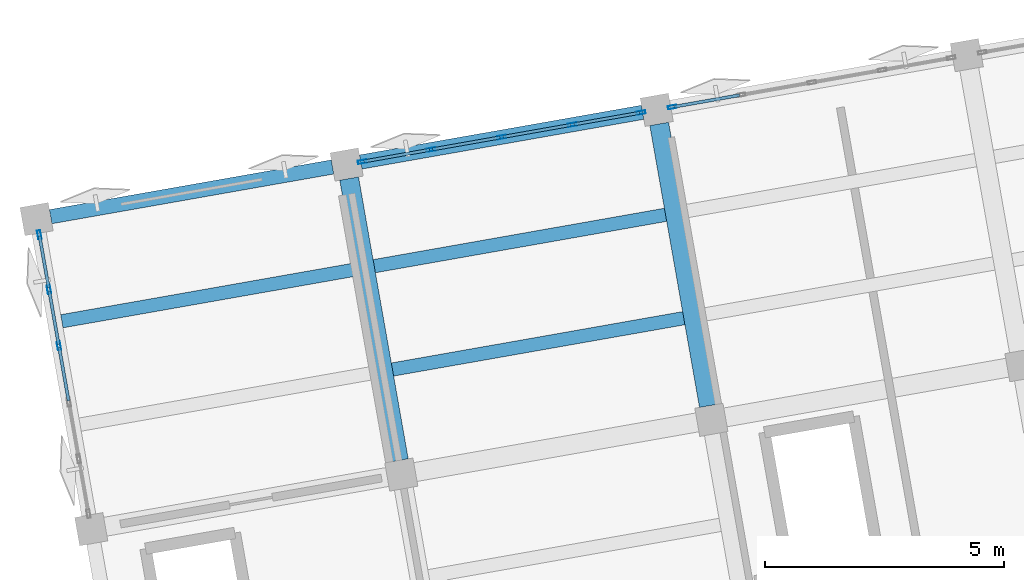
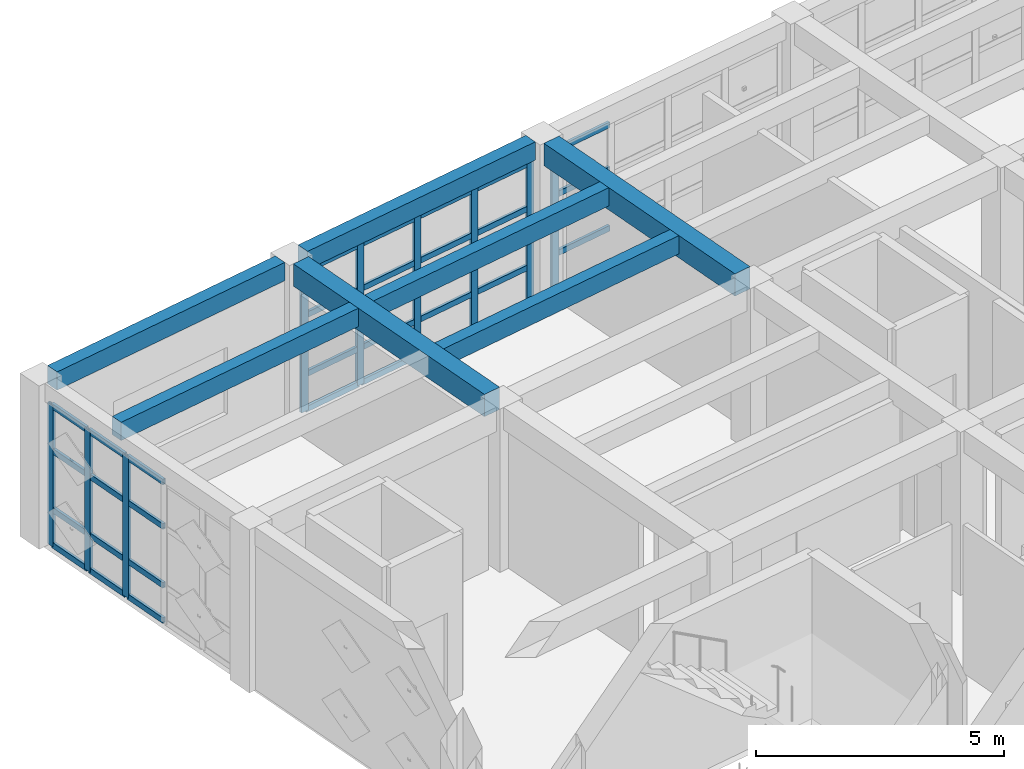
# One storey, part 6 of 18: 41 members, 7 beams, 3 elements without a shape of their own.
"""IFC4 building model written with IfcOpenShell, lengths in metres."""

from ifc_helpers import new_model, si_unit, direction, frame, origin, origin_2d, place, context, subcontext, project, spatial, rectangle, hollow_rectangle, extrude, material, layer, layer_set, material_profile, profile_set, type_object, element, aggregate, save


model = new_model("IFC4")

# Units and contexts
model_context = context("Model", 3, precision=1e-05, world=origin(), true_north=direction((0.0, 1.0)))
body_context = subcontext(model_context, "Body", "Model", "MODEL_VIEW")
ifc_project = project(units=[si_unit("LENGTHUNIT", "METRE"), si_unit("AREAUNIT", "SQUARE_METRE"), si_unit("VOLUMEUNIT", "CUBIC_METRE"), si_unit("PLANEANGLEUNIT", "RADIAN"), si_unit("MASSUNIT", "GRAM", prefix="KILO")], contexts=[model_context])

# Site, building, storey
site_placement = place(None, origin())
site = spatial("IfcSite", under=ifc_project, at=site_placement, CompositionType="ELEMENT")
building_placement = place(site_placement, origin())
building = spatial("IfcBuilding", under=site, at=building_placement, Name="Kharisveld Research Institute", CompositionType="ELEMENT")
storey_placement = place(building_placement, frame((0.0, 0.0, 36.60009765625)))
storey = spatial("IfcBuildingStorey", under=building, at=storey_placement, Name="L08", CompositionType="ELEMENT", Elevation=36.60009765625)

# Beams
ifc_material_1 = material(Name="Concrete C40/50", Category="concrete")
ifc_material_profile_1 = material_profile(ifc_material_1, rectangle(XDim=0.39990234375, YDim=0.550048828125, at=origin_2d()))
ifc_profile_set_1 = profile_set([ifc_material_profile_1], Name="Concrete C40/50")
beam_type_1 = type_object("IfcBeamType", Name="BM_RC_400x550", PredefinedType="BEAM", material=ifc_profile_set_1)
beam_1_placement = place(storey_placement, frame((9.35546875, 49.450927734375, 3.744873046875), z_axis=(-0.173662308598, 0.984805261243, 0.0), x_axis=(-0.984805261243, -0.173662308598, 0.0)))
element("IfcBeam", 1, at=beam_1_placement, inside=storey, type_object=beam_type_1, Name="BM:V1:L08:V1_2", PredefinedType="BEAM", context=body_context, shape_type="SweptSolid", body=[
    extrude(rectangle(XDim=0.39990234375, YDim=0.550048828125, at=origin_2d()), origin(), (0.0, 0.0, 1.0), 6.0),
])
beam_2_placement = place(storey_placement, frame((15.855224609375, 50.59716796875, 3.744873046875), z_axis=(-0.173669267716, 0.984804034035, 0.0), x_axis=(-0.984804034035, -0.173669267716, 0.0)))
element("IfcBeam", 2, at=beam_2_placement, inside=storey, type_object=beam_type_1, Name="BM:V1:L08:V2_2", PredefinedType="BEAM", context=body_context, shape_type="SweptSolid", body=[
    extrude(rectangle(XDim=0.39990234375, YDim=0.550048828125, at=origin_2d()), origin(), (0.0, 0.0, 1.0), 5.999755859375),
])

# Curtain wall, members
ifc_material_2 = material(Name="Thermally Broken Aluminium Curtain Wall", Category="aluminium")
ifc_layer_1 = layer(ifc_material_2, 0.159912109375)
ifc_layer_set_1 = layer_set([ifc_layer_1], Name="CW_SYS_01")
curtain_wall_type_1 = type_object("IfcCurtainWallType", Name="CW_SYS_01", PredefinedType="NOTDEFINED", material=ifc_layer_set_1)
curtain_wall_1_placement = place(storey_placement, origin())
curtain_wall_1 = element("IfcCurtainWall", 3, at=curtain_wall_1_placement, inside=storey, type_object=curtain_wall_type_1, Name="CW:V1:L08:W2", PredefinedType="NOTDEFINED")
ifc_material_3 = material(Name="Anodised Aluminium AW-6063-T6", Category="aluminium")
ifc_material_profile_2 = material_profile(ifc_material_3, hollow_rectangle(XDim=0.070068359375, YDim=0.179931640625, WallThickness=0.00439453125, at=origin_2d()))
ifc_profile_set_2 = profile_set([ifc_material_profile_2], Name="Anodised Aluminium AW-6063-T6")
member_type_1 = type_object("IfcMemberType", Name="CW_MUL_180", PredefinedType="MULLION", material=ifc_profile_set_2)
member_1_placement = place(storey_placement, frame((2.23046875, 51.851318359375, 0.0), z_axis=(0.0, 0.0, 1.0), x_axis=(-0.98480774719, -0.173648210685, 0.0)))
member_1 = element("IfcMember", 4, at=member_1_placement, type_object=member_type_1, Name="CW-01 mullion 4", PredefinedType="MULLION", context=body_context, shape_type="SweptSolid", body=[
    extrude(hollow_rectangle(XDim=0.070068359375, YDim=0.179931640625, WallThickness=0.00439453125, at=origin_2d()), origin(), (0.0, 0.0, 1.0), 3.47998046875),
])
member_2_placement = place(storey_placement, frame((2.021728515625, 53.034912109375, 0.0), z_axis=(0.0, 0.0, 1.0), x_axis=(-0.98480774719, -0.173648210685, 0.0)))
member_2 = element("IfcMember", 5, at=member_2_placement, type_object=member_type_1, Name="CW-01 mullion 5", PredefinedType="MULLION", context=body_context, shape_type="SweptSolid", body=[
    extrude(hollow_rectangle(XDim=0.070068359375, YDim=0.179931640625, WallThickness=0.00439453125, at=origin_2d()), origin(), (0.0, 0.0, 1.0), 3.47998046875),
])
member_3_placement = place(storey_placement, frame((1.819091796875, 54.184326171875, 0.0), z_axis=(0.0, 0.0, 1.0), x_axis=(-0.98480774719, -0.173648210685, 0.0)))
member_3 = element("IfcMember", 6, at=member_3_placement, type_object=member_type_1, Name="CW-01 mullion 6", PredefinedType="MULLION", context=body_context, shape_type="SweptSolid", body=[
    extrude(hollow_rectangle(XDim=0.070068359375, YDim=0.179931640625, WallThickness=0.00439453125, at=origin_2d()), origin(), (0.0, 0.0, 1.0), 3.47998046875),
])

ifc_material_4 = material(Name="Thermally Broken Aluminium Curtain Wall", Category="aluminium")
ifc_layer_2 = layer(ifc_material_4, 0.159912109375)
ifc_layer_set_2 = layer_set([ifc_layer_2], Name="CW_SYS_02")
curtain_wall_type_2 = type_object("IfcCurtainWallType", Name="CW_SYS_02", PredefinedType="NOTDEFINED", material=ifc_layer_set_2)
curtain_wall_2_placement = place(storey_placement, origin())
curtain_wall_2 = element("IfcCurtainWall", 7, at=curtain_wall_2_placement, inside=storey, type_object=curtain_wall_type_2, Name="CW:V1:L08:N1", PredefinedType="NOTDEFINED")
member_4_placement = place(storey_placement, frame((8.58642578125, 55.712646484375, 0.0), z_axis=(0.0, 0.0, 1.0), x_axis=(-0.173648239132, 0.984807742174, 0.0)))
member_4 = element("IfcMember", 8, at=member_4_placement, type_object=member_type_1, Name="CW-02 mullion 1", PredefinedType="MULLION", context=body_context, shape_type="SweptSolid", body=[
    extrude(hollow_rectangle(XDim=0.070068359375, YDim=0.179931640625, WallThickness=0.00439453125, at=origin_2d()), origin(), (0.0, 0.0, 1.0), 3.47998046875),
])
member_5_placement = place(storey_placement, frame((10.03173828125, 55.96728515625, 0.0), z_axis=(0.0, 0.0, 1.0), x_axis=(-0.173648239132, 0.984807742174, 0.0)))
member_5 = element("IfcMember", 9, at=member_5_placement, type_object=member_type_1, Name="CW-02 mullion 2", PredefinedType="MULLION", context=body_context, shape_type="SweptSolid", body=[
    extrude(hollow_rectangle(XDim=0.070068359375, YDim=0.179931640625, WallThickness=0.00439453125, at=origin_2d()), origin(), (0.0, 0.0, 1.0), 3.47998046875),
])
member_6_placement = place(storey_placement, frame((11.511474609375, 56.228271484375, 0.0), z_axis=(0.0, 0.0, 1.0), x_axis=(-0.173648239132, 0.984807742174, 0.0)))
member_6 = element("IfcMember", 10, at=member_6_placement, type_object=member_type_1, Name="CW-02 mullion 3", PredefinedType="MULLION", context=body_context, shape_type="SweptSolid", body=[
    extrude(hollow_rectangle(XDim=0.070068359375, YDim=0.179931640625, WallThickness=0.00439453125, at=origin_2d()), origin(), (0.0, 0.0, 1.0), 3.47998046875),
])
member_7_placement = place(storey_placement, frame((12.990966796875, 56.4892578125, 0.0), z_axis=(0.0, 0.0, 1.0), x_axis=(-0.173648239132, 0.984807742174, 0.0)))
member_7 = element("IfcMember", 11, at=member_7_placement, type_object=member_type_1, Name="CW-02 mullion 4", PredefinedType="MULLION", context=body_context, shape_type="SweptSolid", body=[
    extrude(hollow_rectangle(XDim=0.070068359375, YDim=0.179931640625, WallThickness=0.00439453125, at=origin_2d()), origin(), (0.0, 0.0, 1.0), 3.47998046875),
])
member_8_placement = place(storey_placement, frame((14.436279296875, 56.744140625, 0.0), z_axis=(0.0, 0.0, 1.0), x_axis=(-0.173648239132, 0.984807742174, 0.0)))
member_8 = element("IfcMember", 12, at=member_8_placement, type_object=member_type_1, Name="CW-02 mullion 5", PredefinedType="MULLION", context=body_context, shape_type="SweptSolid", body=[
    extrude(hollow_rectangle(XDim=0.070068359375, YDim=0.179931640625, WallThickness=0.00439453125, at=origin_2d()), origin(), (0.0, 0.0, 1.0), 3.47998046875),
])

# Curtain wall, member
ifc_material_5 = material(Name="Thermally Broken Aluminium Curtain Wall", Category="aluminium")
ifc_layer_3 = layer(ifc_material_5, 0.159912109375)
ifc_layer_set_3 = layer_set([ifc_layer_3], Name="CW_SYS_03")
curtain_wall_type_3 = type_object("IfcCurtainWallType", Name="CW_SYS_03", PredefinedType="NOTDEFINED", material=ifc_layer_set_3)
curtain_wall_3_placement = place(storey_placement, origin())
curtain_wall_3 = element("IfcCurtainWall", 13, at=curtain_wall_3_placement, inside=storey, type_object=curtain_wall_type_3, Name="CW:V1:L08:N2", PredefinedType="NOTDEFINED")
member_9_placement = place(storey_placement, frame((15.086181640625, 56.858642578125, 0.0), z_axis=(0.0, 0.0, 1.0), x_axis=(-0.173648210685, 0.98480774719, 0.0)))
member_9 = element("IfcMember", 14, at=member_9_placement, type_object=member_type_1, Name="CW-03 mullion 1", PredefinedType="MULLION", context=body_context, shape_type="SweptSolid", body=[
    extrude(hollow_rectangle(XDim=0.070068359375, YDim=0.179931640625, WallThickness=0.00439453125, at=origin_2d()), origin(), (0.0, 0.0, 1.0), 3.47998046875),
])

# Member
ifc_material_6 = material(Name="Anodised Aluminium AW-6063-T6", Category="aluminium")
ifc_material_profile_3 = material_profile(ifc_material_6, hollow_rectangle(XDim=0.06494140625, YDim=0.139892578125, WallThickness=0.00390625, at=origin_2d()))
ifc_profile_set_3 = profile_set([ifc_material_profile_3], Name="Anodised Aluminium AW-6063-T6")
member_type_2 = type_object("IfcMemberType", Name="CW_TRN_140", PredefinedType="USERDEFINED", material=ifc_profile_set_3)
member_10_placement = place(storey_placement, frame((2.43310546875, 50.701904296875, 0.032470703125), z_axis=(-0.173625378269, 0.984811772889, 0.0), x_axis=(-0.984811772889, -0.173625378269, 0.0)))
member_10 = element("IfcMember", 15, at=member_10_placement, type_object=member_type_2, Name="CW-01 transom 3.1", ObjectType="TRANSOM", PredefinedType="USERDEFINED", context=body_context, shape_type="SweptSolid", body=[
    extrude(hollow_rectangle(XDim=0.06494140625, YDim=0.139892578125, WallThickness=0.00390625, at=origin_2d()), origin(), (0.0, 0.0, 1.0), 1.1318359375),
])

member_11_placement = place(storey_placement, frame((2.43310546875, 50.701904296875, 0.89990234375), z_axis=(-0.173625378269, 0.984811772889, 0.0), x_axis=(-0.984811772889, -0.173625378269, 0.0)))
member_11 = element("IfcMember", 16, at=member_11_placement, type_object=member_type_2, Name="CW-01 transom 3.2", ObjectType="TRANSOM", PredefinedType="USERDEFINED", context=body_context, shape_type="SweptSolid", body=[
    extrude(hollow_rectangle(XDim=0.06494140625, YDim=0.139892578125, WallThickness=0.00390625, at=origin_2d()), origin(), (0.0, 0.0, 1.0), 1.1318359375),
])

member_12_placement = place(storey_placement, frame((2.43310546875, 50.701904296875, 2.349853515625), z_axis=(-0.173625378269, 0.984811772889, 0.0), x_axis=(-0.984811772889, -0.173625378269, 0.0)))
member_12 = element("IfcMember", 17, at=member_12_placement, type_object=member_type_2, Name="CW-01 transom 3.3", ObjectType="TRANSOM", PredefinedType="USERDEFINED", context=body_context, shape_type="SweptSolid", body=[
    extrude(hollow_rectangle(XDim=0.06494140625, YDim=0.139892578125, WallThickness=0.00390625, at=origin_2d()), origin(), (0.0, 0.0, 1.0), 1.1318359375),
])

member_13_placement = place(storey_placement, frame((2.43310546875, 50.701904296875, 3.447509765625), z_axis=(-0.173625378269, 0.984811772889, 0.0), x_axis=(-0.984811772889, -0.173625378269, 0.0)))
member_13 = element("IfcMember", 18, at=member_13_placement, type_object=member_type_2, Name="CW-01 transom 3.4", ObjectType="TRANSOM", PredefinedType="USERDEFINED", context=body_context, shape_type="SweptSolid", body=[
    extrude(hollow_rectangle(XDim=0.06494140625, YDim=0.139892578125, WallThickness=0.00390625, at=origin_2d()), origin(), (0.0, 0.0, 1.0), 1.1318359375),
])

member_14_placement = place(storey_placement, frame((2.224365234375, 51.8857421875, 0.032470703125), z_axis=(-0.173625378269, 0.984811772889, 0.0), x_axis=(-0.984811772889, -0.173625378269, 0.0)))
member_14 = element("IfcMember", 19, at=member_14_placement, type_object=member_type_2, Name="CW-01 transom 4.1", ObjectType="TRANSOM", PredefinedType="USERDEFINED", context=body_context, shape_type="SweptSolid", body=[
    extrude(hollow_rectangle(XDim=0.06494140625, YDim=0.139892578125, WallThickness=0.00390625, at=origin_2d()), origin(), (0.0, 0.0, 1.0), 1.1318359375),
])

member_15_placement = place(storey_placement, frame((2.224365234375, 51.8857421875, 0.89990234375), z_axis=(-0.173625378269, 0.984811772889, 0.0), x_axis=(-0.984811772889, -0.173625378269, 0.0)))
member_15 = element("IfcMember", 20, at=member_15_placement, type_object=member_type_2, Name="CW-01 transom 4.2", ObjectType="TRANSOM", PredefinedType="USERDEFINED", context=body_context, shape_type="SweptSolid", body=[
    extrude(hollow_rectangle(XDim=0.06494140625, YDim=0.139892578125, WallThickness=0.00390625, at=origin_2d()), origin(), (0.0, 0.0, 1.0), 1.1318359375),
])

member_16_placement = place(storey_placement, frame((2.224365234375, 51.8857421875, 2.349853515625), z_axis=(-0.173625378269, 0.984811772889, 0.0), x_axis=(-0.984811772889, -0.173625378269, 0.0)))
member_16 = element("IfcMember", 21, at=member_16_placement, type_object=member_type_2, Name="CW-01 transom 4.3", ObjectType="TRANSOM", PredefinedType="USERDEFINED", context=body_context, shape_type="SweptSolid", body=[
    extrude(hollow_rectangle(XDim=0.06494140625, YDim=0.139892578125, WallThickness=0.00390625, at=origin_2d()), origin(), (0.0, 0.0, 1.0), 1.1318359375),
])

member_17_placement = place(storey_placement, frame((2.224365234375, 51.8857421875, 3.447509765625), z_axis=(-0.173625378269, 0.984811772889, 0.0), x_axis=(-0.984811772889, -0.173625378269, 0.0)))
member_17 = element("IfcMember", 22, at=member_17_placement, type_object=member_type_2, Name="CW-01 transom 4.4", ObjectType="TRANSOM", PredefinedType="USERDEFINED", context=body_context, shape_type="SweptSolid", body=[
    extrude(hollow_rectangle(XDim=0.06494140625, YDim=0.139892578125, WallThickness=0.00390625, at=origin_2d()), origin(), (0.0, 0.0, 1.0), 1.1318359375),
])

member_18_placement = place(storey_placement, frame((2.015625, 53.0693359375, 0.032470703125), z_axis=(-0.17359488712, 0.984817148087, 0.0), x_axis=(-0.984817148087, -0.17359488712, 0.0)))
member_18 = element("IfcMember", 23, at=member_18_placement, type_object=member_type_2, Name="CW-01 transom 5.1", ObjectType="TRANSOM", PredefinedType="USERDEFINED", context=body_context, shape_type="SweptSolid", body=[
    extrude(hollow_rectangle(XDim=0.06494140625, YDim=0.139892578125, WallThickness=0.00390625, at=origin_2d()), origin(), (0.0, 0.0, 1.0), 1.096923828125),
])

member_19_placement = place(storey_placement, frame((2.015625, 53.0693359375, 0.89990234375), z_axis=(-0.17359488712, 0.984817148087, 0.0), x_axis=(-0.984817148087, -0.17359488712, 0.0)))
member_19 = element("IfcMember", 24, at=member_19_placement, type_object=member_type_2, Name="CW-01 transom 5.2", ObjectType="TRANSOM", PredefinedType="USERDEFINED", context=body_context, shape_type="SweptSolid", body=[
    extrude(hollow_rectangle(XDim=0.06494140625, YDim=0.139892578125, WallThickness=0.00390625, at=origin_2d()), origin(), (0.0, 0.0, 1.0), 1.096923828125),
])

member_20_placement = place(storey_placement, frame((2.015625, 53.0693359375, 2.349853515625), z_axis=(-0.17359488712, 0.984817148087, 0.0), x_axis=(-0.984817148087, -0.17359488712, 0.0)))
member_20 = element("IfcMember", 25, at=member_20_placement, type_object=member_type_2, Name="CW-01 transom 5.3", ObjectType="TRANSOM", PredefinedType="USERDEFINED", context=body_context, shape_type="SweptSolid", body=[
    extrude(hollow_rectangle(XDim=0.06494140625, YDim=0.139892578125, WallThickness=0.00390625, at=origin_2d()), origin(), (0.0, 0.0, 1.0), 1.096923828125),
])

member_21_placement = place(storey_placement, frame((2.015625, 53.0693359375, 3.447509765625), z_axis=(-0.17359488712, 0.984817148087, 0.0), x_axis=(-0.984817148087, -0.17359488712, 0.0)))
member_21 = element("IfcMember", 26, at=member_21_placement, type_object=member_type_2, Name="CW-01 transom 5.4", ObjectType="TRANSOM", PredefinedType="USERDEFINED", context=body_context, shape_type="SweptSolid", body=[
    extrude(hollow_rectangle(XDim=0.06494140625, YDim=0.139892578125, WallThickness=0.00390625, at=origin_2d()), origin(), (0.0, 0.0, 1.0), 1.096923828125),
])

aggregate(curtain_wall_1, [member_1, member_2, member_3, member_10, member_11, member_12, member_13, member_14, member_15, member_16, member_17, member_18, member_19, member_20, member_21])

member_22_placement = place(storey_placement, frame((8.620849609375, 55.71875, 0.032470703125), z_axis=(0.984811681312, 0.173625897698, 0.0), x_axis=(-0.173625897698, 0.984811681312, 0.0)))
member_22 = element("IfcMember", 27, at=member_22_placement, type_object=member_type_2, Name="CW-02 transom 1.1", ObjectType="TRANSOM", PredefinedType="USERDEFINED", context=body_context, shape_type="SweptSolid", body=[
    extrude(hollow_rectangle(XDim=0.06494140625, YDim=0.139892578125, WallThickness=0.00390625, at=origin_2d()), origin(), (0.0, 0.0, 1.0), 1.397705078125),
])

member_23_placement = place(storey_placement, frame((8.620849609375, 55.71875, 0.89990234375), z_axis=(0.984811681312, 0.173625897698, 0.0), x_axis=(-0.173625897698, 0.984811681312, 0.0)))
member_23 = element("IfcMember", 28, at=member_23_placement, type_object=member_type_2, Name="CW-02 transom 1.2", ObjectType="TRANSOM", PredefinedType="USERDEFINED", context=body_context, shape_type="SweptSolid", body=[
    extrude(hollow_rectangle(XDim=0.06494140625, YDim=0.139892578125, WallThickness=0.00390625, at=origin_2d()), origin(), (0.0, 0.0, 1.0), 1.397705078125),
])

member_24_placement = place(storey_placement, frame((8.620849609375, 55.71875, 2.349853515625), z_axis=(0.984811681312, 0.173625897698, 0.0), x_axis=(-0.173625897698, 0.984811681312, 0.0)))
member_24 = element("IfcMember", 29, at=member_24_placement, type_object=member_type_2, Name="CW-02 transom 1.3", ObjectType="TRANSOM", PredefinedType="USERDEFINED", context=body_context, shape_type="SweptSolid", body=[
    extrude(hollow_rectangle(XDim=0.06494140625, YDim=0.139892578125, WallThickness=0.00390625, at=origin_2d()), origin(), (0.0, 0.0, 1.0), 1.397705078125),
])

member_25_placement = place(storey_placement, frame((8.620849609375, 55.71875, 3.447509765625), z_axis=(0.984811681312, 0.173625897698, 0.0), x_axis=(-0.173625897698, 0.984811681312, 0.0)))
member_25 = element("IfcMember", 30, at=member_25_placement, type_object=member_type_2, Name="CW-02 transom 1.4", ObjectType="TRANSOM", PredefinedType="USERDEFINED", context=body_context, shape_type="SweptSolid", body=[
    extrude(hollow_rectangle(XDim=0.06494140625, YDim=0.139892578125, WallThickness=0.00390625, at=origin_2d()), origin(), (0.0, 0.0, 1.0), 1.397705078125),
])

member_26_placement = place(storey_placement, frame((10.066162109375, 55.973388671875, 0.032470703125), z_axis=(0.98480242724, 0.173678378913, 0.0), x_axis=(-0.173678378913, 0.98480242724, 0.0)))
member_26 = element("IfcMember", 31, at=member_26_placement, type_object=member_type_2, Name="CW-02 transom 2.1", ObjectType="TRANSOM", PredefinedType="USERDEFINED", context=body_context, shape_type="SweptSolid", body=[
    extrude(hollow_rectangle(XDim=0.06494140625, YDim=0.139892578125, WallThickness=0.00390625, at=origin_2d()), origin(), (0.0, 0.0, 1.0), 1.432373046875),
])

member_27_placement = place(storey_placement, frame((10.066162109375, 55.973388671875, 0.89990234375), z_axis=(0.98480242724, 0.173678378913, 0.0), x_axis=(-0.173678378913, 0.98480242724, 0.0)))
member_27 = element("IfcMember", 32, at=member_27_placement, type_object=member_type_2, Name="CW-02 transom 2.2", ObjectType="TRANSOM", PredefinedType="USERDEFINED", context=body_context, shape_type="SweptSolid", body=[
    extrude(hollow_rectangle(XDim=0.06494140625, YDim=0.139892578125, WallThickness=0.00390625, at=origin_2d()), origin(), (0.0, 0.0, 1.0), 1.432373046875),
])

member_28_placement = place(storey_placement, frame((10.066162109375, 55.973388671875, 2.349853515625), z_axis=(0.98480242724, 0.173678378913, 0.0), x_axis=(-0.173678378913, 0.98480242724, 0.0)))
member_28 = element("IfcMember", 33, at=member_28_placement, type_object=member_type_2, Name="CW-02 transom 2.3", ObjectType="TRANSOM", PredefinedType="USERDEFINED", context=body_context, shape_type="SweptSolid", body=[
    extrude(hollow_rectangle(XDim=0.06494140625, YDim=0.139892578125, WallThickness=0.00390625, at=origin_2d()), origin(), (0.0, 0.0, 1.0), 1.432373046875),
])

member_29_placement = place(storey_placement, frame((10.066162109375, 55.973388671875, 3.447509765625), z_axis=(0.98480242724, 0.173678378913, 0.0), x_axis=(-0.173678378913, 0.98480242724, 0.0)))
member_29 = element("IfcMember", 34, at=member_29_placement, type_object=member_type_2, Name="CW-02 transom 2.4", ObjectType="TRANSOM", PredefinedType="USERDEFINED", context=body_context, shape_type="SweptSolid", body=[
    extrude(hollow_rectangle(XDim=0.06494140625, YDim=0.139892578125, WallThickness=0.00390625, at=origin_2d()), origin(), (0.0, 0.0, 1.0), 1.432373046875),
])

member_30_placement = place(storey_placement, frame((11.5458984375, 56.234375, 0.032470703125), z_axis=(0.98480242724, 0.173678378913, 0.0), x_axis=(-0.173678378913, 0.98480242724, 0.0)))
member_30 = element("IfcMember", 35, at=member_30_placement, type_object=member_type_2, Name="CW-02 transom 3.1", ObjectType="TRANSOM", PredefinedType="USERDEFINED", context=body_context, shape_type="SweptSolid", body=[
    extrude(hollow_rectangle(XDim=0.06494140625, YDim=0.139892578125, WallThickness=0.00390625, at=origin_2d()), origin(), (0.0, 0.0, 1.0), 1.432373046875),
])

member_31_placement = place(storey_placement, frame((11.5458984375, 56.234375, 0.89990234375), z_axis=(0.98480242724, 0.173678378913, 0.0), x_axis=(-0.173678378913, 0.98480242724, 0.0)))
member_31 = element("IfcMember", 36, at=member_31_placement, type_object=member_type_2, Name="CW-02 transom 3.2", ObjectType="TRANSOM", PredefinedType="USERDEFINED", context=body_context, shape_type="SweptSolid", body=[
    extrude(hollow_rectangle(XDim=0.06494140625, YDim=0.139892578125, WallThickness=0.00390625, at=origin_2d()), origin(), (0.0, 0.0, 1.0), 1.432373046875),
])

member_32_placement = place(storey_placement, frame((11.5458984375, 56.234375, 2.349853515625), z_axis=(0.98480242724, 0.173678378913, 0.0), x_axis=(-0.173678378913, 0.98480242724, 0.0)))
member_32 = element("IfcMember", 37, at=member_32_placement, type_object=member_type_2, Name="CW-02 transom 3.3", ObjectType="TRANSOM", PredefinedType="USERDEFINED", context=body_context, shape_type="SweptSolid", body=[
    extrude(hollow_rectangle(XDim=0.06494140625, YDim=0.139892578125, WallThickness=0.00390625, at=origin_2d()), origin(), (0.0, 0.0, 1.0), 1.432373046875),
])

member_33_placement = place(storey_placement, frame((11.5458984375, 56.234375, 3.447509765625), z_axis=(0.98480242724, 0.173678378913, 0.0), x_axis=(-0.173678378913, 0.98480242724, 0.0)))
member_33 = element("IfcMember", 38, at=member_33_placement, type_object=member_type_2, Name="CW-02 transom 3.4", ObjectType="TRANSOM", PredefinedType="USERDEFINED", context=body_context, shape_type="SweptSolid", body=[
    extrude(hollow_rectangle(XDim=0.06494140625, YDim=0.139892578125, WallThickness=0.00390625, at=origin_2d()), origin(), (0.0, 0.0, 1.0), 1.432373046875),
])

member_34_placement = place(storey_placement, frame((13.025390625, 56.495361328125, 0.032470703125), z_axis=(0.984811681312, 0.173625897698, 0.0), x_axis=(-0.173625897698, 0.984811681312, 0.0)))
member_34 = element("IfcMember", 39, at=member_34_placement, type_object=member_type_2, Name="CW-02 transom 4.1", ObjectType="TRANSOM", PredefinedType="USERDEFINED", context=body_context, shape_type="SweptSolid", body=[
    extrude(hollow_rectangle(XDim=0.06494140625, YDim=0.139892578125, WallThickness=0.00390625, at=origin_2d()), origin(), (0.0, 0.0, 1.0), 1.397705078125),
])

member_35_placement = place(storey_placement, frame((13.025390625, 56.495361328125, 0.89990234375), z_axis=(0.984811681312, 0.173625897698, 0.0), x_axis=(-0.173625897698, 0.984811681312, 0.0)))
member_35 = element("IfcMember", 40, at=member_35_placement, type_object=member_type_2, Name="CW-02 transom 4.2", ObjectType="TRANSOM", PredefinedType="USERDEFINED", context=body_context, shape_type="SweptSolid", body=[
    extrude(hollow_rectangle(XDim=0.06494140625, YDim=0.139892578125, WallThickness=0.00390625, at=origin_2d()), origin(), (0.0, 0.0, 1.0), 1.397705078125),
])

member_36_placement = place(storey_placement, frame((13.025390625, 56.495361328125, 2.349853515625), z_axis=(0.984811681312, 0.173625897698, 0.0), x_axis=(-0.173625897698, 0.984811681312, 0.0)))
member_36 = element("IfcMember", 41, at=member_36_placement, type_object=member_type_2, Name="CW-02 transom 4.3", ObjectType="TRANSOM", PredefinedType="USERDEFINED", context=body_context, shape_type="SweptSolid", body=[
    extrude(hollow_rectangle(XDim=0.06494140625, YDim=0.139892578125, WallThickness=0.00390625, at=origin_2d()), origin(), (0.0, 0.0, 1.0), 1.397705078125),
])

member_37_placement = place(storey_placement, frame((13.025390625, 56.495361328125, 3.447509765625), z_axis=(0.984811681312, 0.173625897698, 0.0), x_axis=(-0.173625897698, 0.984811681312, 0.0)))
member_37 = element("IfcMember", 42, at=member_37_placement, type_object=member_type_2, Name="CW-02 transom 4.4", ObjectType="TRANSOM", PredefinedType="USERDEFINED", context=body_context, shape_type="SweptSolid", body=[
    extrude(hollow_rectangle(XDim=0.06494140625, YDim=0.139892578125, WallThickness=0.00390625, at=origin_2d()), origin(), (0.0, 0.0, 1.0), 1.397705078125),
])

aggregate(curtain_wall_2, [member_4, member_5, member_6, member_7, member_8, member_22, member_23, member_24, member_25, member_26, member_27, member_28, member_29, member_30, member_31, member_32, member_33, member_34, member_35, member_36, member_37])

member_38_placement = place(storey_placement, frame((15.12060546875, 56.86474609375, 0.032470703125), z_axis=(0.984811681312, 0.173625897698, 0.0), x_axis=(-0.173625897698, 0.984811681312, 0.0)))
member_38 = element("IfcMember", 43, at=member_38_placement, type_object=member_type_2, Name="CW-03 transom 1.1", ObjectType="TRANSOM", PredefinedType="USERDEFINED", context=body_context, shape_type="SweptSolid", body=[
    extrude(hollow_rectangle(XDim=0.06494140625, YDim=0.139892578125, WallThickness=0.00390625, at=origin_2d()), origin(), (0.0, 0.0, 1.0), 1.397705078125),
])

member_39_placement = place(storey_placement, frame((15.12060546875, 56.86474609375, 0.89990234375), z_axis=(0.984811681312, 0.173625897698, 0.0), x_axis=(-0.173625897698, 0.984811681312, 0.0)))
member_39 = element("IfcMember", 44, at=member_39_placement, type_object=member_type_2, Name="CW-03 transom 1.2", ObjectType="TRANSOM", PredefinedType="USERDEFINED", context=body_context, shape_type="SweptSolid", body=[
    extrude(hollow_rectangle(XDim=0.06494140625, YDim=0.139892578125, WallThickness=0.00390625, at=origin_2d()), origin(), (0.0, 0.0, 1.0), 1.397705078125),
])

member_40_placement = place(storey_placement, frame((15.12060546875, 56.86474609375, 2.349853515625), z_axis=(0.984811681312, 0.173625897698, 0.0), x_axis=(-0.173625897698, 0.984811681312, 0.0)))
member_40 = element("IfcMember", 45, at=member_40_placement, type_object=member_type_2, Name="CW-03 transom 1.3", ObjectType="TRANSOM", PredefinedType="USERDEFINED", context=body_context, shape_type="SweptSolid", body=[
    extrude(hollow_rectangle(XDim=0.06494140625, YDim=0.139892578125, WallThickness=0.00390625, at=origin_2d()), origin(), (0.0, 0.0, 1.0), 1.397705078125),
])

member_41_placement = place(storey_placement, frame((15.12060546875, 56.86474609375, 3.447509765625), z_axis=(0.984811681312, 0.173625897698, 0.0), x_axis=(-0.173625897698, 0.984811681312, 0.0)))
member_41 = element("IfcMember", 46, at=member_41_placement, type_object=member_type_2, Name="CW-03 transom 1.4", ObjectType="TRANSOM", PredefinedType="USERDEFINED", context=body_context, shape_type="SweptSolid", body=[
    extrude(hollow_rectangle(XDim=0.06494140625, YDim=0.139892578125, WallThickness=0.00390625, at=origin_2d()), origin(), (0.0, 0.0, 1.0), 1.397705078125),
])

aggregate(curtain_wall_3, [member_9, member_38, member_39, member_40, member_41])

# Beams
ifc_material_7 = material(Name="Concrete C40/50", Category="concrete")
ifc_material_profile_4 = material_profile(ifc_material_7, rectangle(XDim=0.300048828125, YDim=0.449951171875, at=origin_2d()))
ifc_profile_set_4 = profile_set([ifc_material_profile_4], Name="Concrete C40/50")
beam_type_2 = type_object("IfcBeamType", Name="SP_RC_300x450", PredefinedType="SPANDREL", material=ifc_profile_set_4)
for number, where, z_axis, x_axis, name in (
    (47, (2.05712890625, 54.561279296875, 3.794921875), (0.984805261243, 0.173662308598, 0.0), (-0.173662308598, 0.984805261243, 0.0), "BM:V1:L08:U0_3"),
    (48, (8.556884765625, 55.707275390625, 3.794921875), (0.984805261243, 0.173662308598, 0.0), (-0.173662308598, 0.984805261243, 0.0), "BM:V1:L08:U1_3"),
):
    element("IfcBeam", number, at=place(storey_placement, frame(where, z_axis=z_axis, x_axis=x_axis)), inside=storey, type_object=beam_type_2, Name=name, PredefinedType="SPANDREL", context=body_context, shape_type="SweptSolid", body=[
        extrude(rectangle(XDim=0.300048828125, YDim=0.449951171875, at=origin_2d()), origin(), (0.0, 0.0, 1.0), 6.0),
    ])
ifc_material_8 = material(Name="Concrete C40/50", Category="concrete")
ifc_material_profile_5 = material_profile(ifc_material_8, rectangle(XDim=0.280029296875, YDim=0.449951171875, at=origin_2d()))
ifc_profile_set_5 = profile_set([ifc_material_profile_5], Name="Concrete C40/50")
beam_type_3 = type_object("IfcBeamType", Name="WB_RC_280x450", PredefinedType="JOIST", material=ifc_profile_set_5)
beam_3_placement = place(storey_placement, frame((2.29150390625, 52.36865234375, 3.794921875), z_axis=(0.984810288083, 0.17363379995, 0.0), x_axis=(-0.17363379995, 0.984810288083, 0.0)))
element("IfcBeam", 49, at=beam_3_placement, inside=storey, type_object=beam_type_3, Name="BM:V1:L08:J_0_2_R2", PredefinedType="JOIST", context=body_context, shape_type="SweptSolid", body=[
    extrude(rectangle(XDim=0.280029296875, YDim=0.449951171875, at=origin_2d()), origin(), (0.0, 0.0, 1.0), 6.25),
])
beam_4_placement = place(storey_placement, frame((9.222412109375, 51.35693359375, 3.794921875), z_axis=(0.984814067264, 0.173612363957, 0.0), x_axis=(-0.173612363957, 0.984814067264, 0.0)))
element("IfcBeam", 50, at=beam_4_placement, inside=storey, type_object=beam_type_3, Name="BM:V1:L08:J_1_2_R1", PredefinedType="JOIST", context=body_context, shape_type="SweptSolid", body=[
    extrude(rectangle(XDim=0.280029296875, YDim=0.449951171875, at=origin_2d()), origin(), (0.0, 0.0, 1.0), 6.2001953125),
])
beam_5_placement = place(storey_placement, frame((8.840576171875, 53.5234375, 3.794921875), z_axis=(0.984806146634, 0.173657287643, 0.0), x_axis=(-0.173657287643, 0.984806146634, 0.0)))
element("IfcBeam", 51, at=beam_5_placement, inside=storey, type_object=beam_type_3, Name="BM:V1:L08:J_1_2_R2", PredefinedType="JOIST", context=body_context, shape_type="SweptSolid", body=[
    extrude(rectangle(XDim=0.280029296875, YDim=0.449951171875, at=origin_2d()), origin(), (0.0, 0.0, 1.0), 6.199951171875),
])

save(model, "model.ifc")
